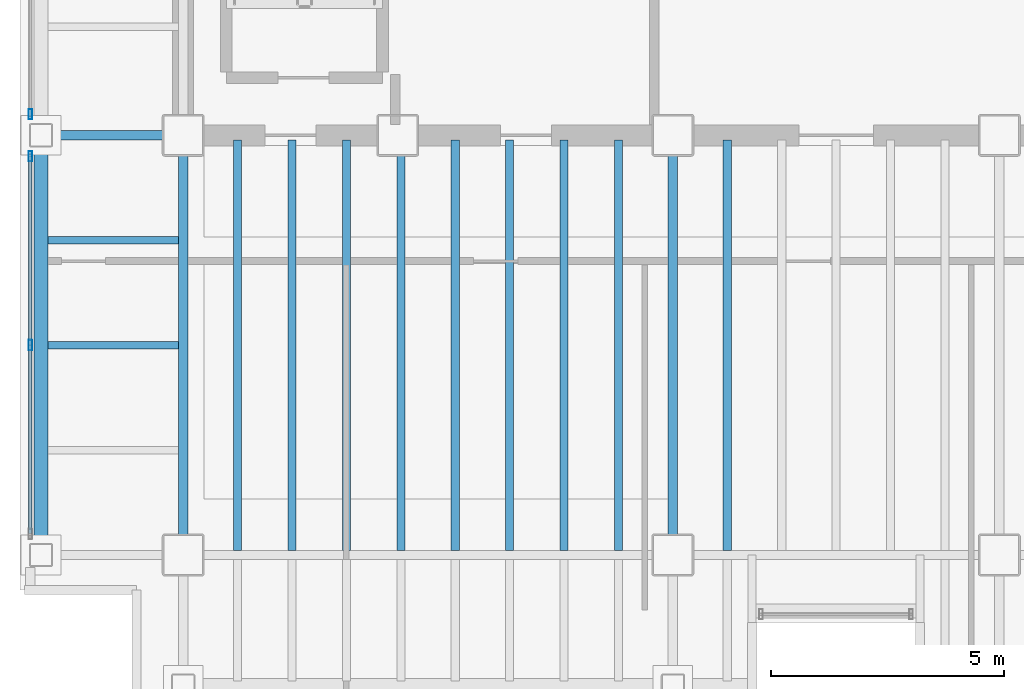
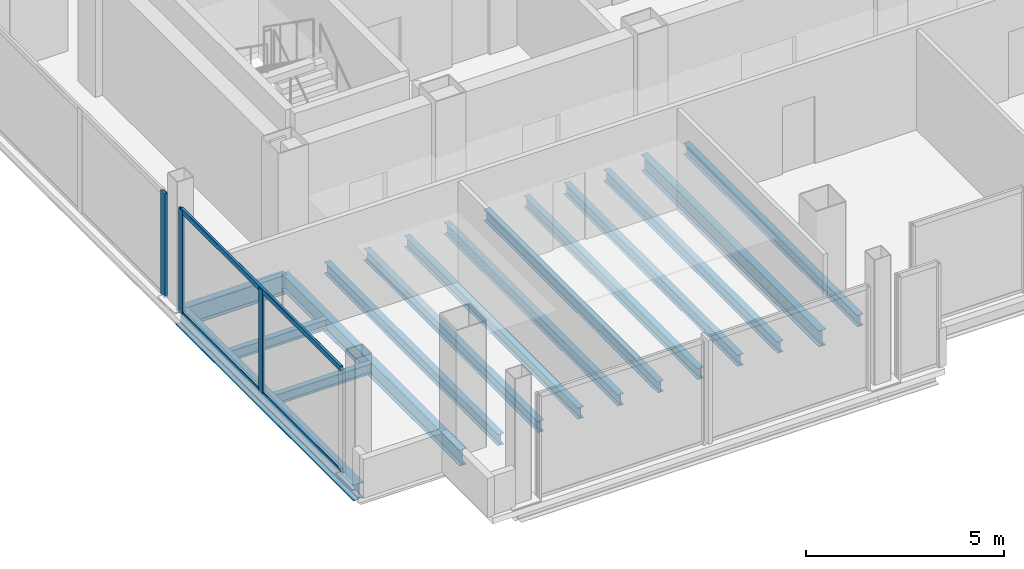
# One storey, part 3 of 16: 15 beams, 5 members, 2 elements without a shape of their own.
"""IFC4 building model written with IfcOpenShell, lengths in metres."""

from ifc_helpers import new_model, si_unit, direction, frame, origin, origin_2d, place, context, subcontext, project, spatial, hollow_rectangle, i_section, extrude, material, material_profile, profile_set, type_object, element, aggregate, save


model = new_model("IFC4")

# Units and contexts
model_context = context("Model", 3, precision=1e-05, world=origin(), true_north=direction((0.0, 1.0)))
body_context = subcontext(model_context, "Body", "Model", "MODEL_VIEW")
ifc_project = project(units=[si_unit("LENGTHUNIT", "METRE"), si_unit("AREAUNIT", "SQUARE_METRE"), si_unit("VOLUMEUNIT", "CUBIC_METRE"), si_unit("PLANEANGLEUNIT", "RADIAN"), si_unit("MASSUNIT", "GRAM", prefix="KILO")], contexts=[model_context])

# Site, building, storey
site_placement = place(None, origin())
site = spatial("IfcSite", under=ifc_project, at=site_placement, CompositionType="ELEMENT")
building_placement = place(site_placement, origin())
building = spatial("IfcBuilding", under=site, at=building_placement, Name="Noeulbin Bourse Tower", CompositionType="ELEMENT")
storey_placement = place(building_placement, frame((0.0, 0.0, 181.199951171875)))
storey = spatial("IfcBuildingStorey", under=building, at=storey_placement, Name="L45", CompositionType="ELEMENT", Elevation=181.199951171875)

# Beams
ifc_material_1 = material(Name="Steel S355", Category="steel")
ifc_material_profile_1 = material_profile(ifc_material_1, i_section(OverallWidth=0.199951171875, OverallDepth=0.5, WebThickness=0.010009765625, FlangeThickness=0.01611328125, FilletRadius=0.02001953125, at=origin_2d()), Name="H-500x200x10x16", Category="LoadBearing")
ifc_profile_set_1 = profile_set([ifc_material_profile_1], Name="Steel S355")
beam_type_1 = type_object("IfcBeamType", Name="BM-GRD-500", PredefinedType="USERDEFINED", material=ifc_profile_set_1)
for number, where, z_axis, x_axis, name in (
    (1, (13.5, 20.0, -0.429931640625), (0.0, 1.0, 0.0), (-1.0, 0.0, 0.0), "Tower Primary Girder NS L45-1.2"),
    (2, (24.0, 20.0, -0.429931640625), (0.0, 1.0, 0.0), (-1.0, 0.0, 0.0), "Tower Primary Girder NS L45-2.2"),
):
    element("IfcBeam", number, at=place(storey_placement, frame(where, z_axis=z_axis, x_axis=x_axis)), inside=storey, type_object=beam_type_1, Name=name, ObjectType="GIRDER", PredefinedType="USERDEFINED", context=body_context, shape_type="SweptSolid", body=[
        extrude(i_section(OverallWidth=0.199951171875, OverallDepth=0.5, WebThickness=0.010009765625, FlangeThickness=0.01611328125, FilletRadius=0.02001953125, at=origin_2d()), origin(), (0.0, 0.0, 1.0), 9.0),
    ])
ifc_material_profile_2 = material_profile(ifc_material_1, i_section(OverallWidth=0.199951171875, OverallDepth=0.60009765625, WebThickness=0.010986328125, FlangeThickness=0.01708984375, FilletRadius=0.02197265625, at=origin_2d()), Name="H-600x200x11x17", Category="LoadBearing")
ifc_profile_set_2 = profile_set([ifc_material_profile_2], Name="Steel S355")
beam_type_2 = type_object("IfcBeamType", Name="BM-GRD-600", PredefinedType="USERDEFINED", material=ifc_profile_set_2)
beam_1_placement = place(storey_placement, frame((10.449951171875, 29.0, -0.47998046875), z_axis=(1.0, 0.0, 0.0), x_axis=(0.0, 1.0, 0.0)))
element("IfcBeam", 3, at=beam_1_placement, inside=storey, type_object=beam_type_2, Name="Tower Primary Girder EW L45-2.1", ObjectType="GIRDER", PredefinedType="USERDEFINED", context=body_context, shape_type="SweptSolid", body=[
    extrude(i_section(OverallWidth=0.199951171875, OverallDepth=0.60009765625, WebThickness=0.010986328125, FlangeThickness=0.01708984375, FilletRadius=0.02197265625, at=origin_2d()), origin(), (0.0, 0.0, 1.0), 3.050048828125),
])
ifc_material_profile_3 = material_profile(ifc_material_1, i_section(OverallWidth=0.159912109375, OverallDepth=0.320068359375, WebThickness=0.006591796875, FlangeThickness=0.010009765625, FilletRadius=0.012939453125, at=origin_2d()), Name="H-320x160x6.5x10", Category="LoadBearing")
ifc_profile_set_3 = profile_set([ifc_material_profile_3], Name="Steel S355")
beam_type_3 = type_object("IfcBeamType", Name="BM-JST-320", PredefinedType="JOIST", material=ifc_profile_set_3)
for number, where, z_axis, x_axis, name in (
    (4, (10.60009765625, 24.5, -0.33984375), (1.0, 0.0, 0.0), (0.0, 1.0, 0.0), "Wing Composite Joist L45-W68"),
    (5, (10.60009765625, 26.75, -0.33984375), (1.0, 0.0, 0.0), (0.0, 1.0, 0.0), "Wing Composite Joist L45-W69"),
):
    element("IfcBeam", number, at=place(storey_placement, frame(where, z_axis=z_axis, x_axis=x_axis)), inside=storey, type_object=beam_type_3, Name=name, PredefinedType="JOIST", context=body_context, shape_type="SweptSolid", body=[
        extrude(i_section(OverallWidth=0.159912109375, OverallDepth=0.320068359375, WebThickness=0.006591796875, FlangeThickness=0.010009765625, FilletRadius=0.012939453125, at=origin_2d()), origin(), (0.0, 0.0, 1.0), 2.7998046875),
    ])
ifc_material_profile_4 = material_profile(ifc_material_1, i_section(OverallWidth=0.175048828125, OverallDepth=0.35009765625, WebThickness=0.007080078125, FlangeThickness=0.010986328125, FilletRadius=0.013916015625, at=origin_2d()), Name="H-350x175x7x11", Category="LoadBearing")
ifc_profile_set_4 = profile_set([ifc_material_profile_4], Name="Steel S355")
beam_type_4 = type_object("IfcBeamType", Name="BM-JST-350", PredefinedType="JOIST", material=ifc_profile_set_4)
for number, where, z_axis, x_axis, name in (
    (6, (14.666748046875, 20.10009765625, -0.35498046875), (0.0, 1.0, 0.0), (-1.0, 0.0, 0.0), "Tower Composite Joist L45-02"),
    (7, (15.833251953125, 20.10009765625, -0.35498046875), (0.0, 1.0, 0.0), (-1.0, 0.0, 0.0), "Tower Composite Joist L45-05"),
    (8, (17.0, 20.10009765625, -0.35498046875), (0.0, 1.0, 0.0), (-1.0, 0.0, 0.0), "Tower Composite Joist L45-08"),
    (9, (18.166748046875, 20.10009765625, -0.35498046875), (0.0, 1.0, 0.0), (-1.0, 0.0, 0.0), "Tower Composite Joist L45-11"),
    (10, (19.333251953125, 20.10009765625, -0.35498046875), (0.0, 1.0, 0.0), (-1.0, 0.0, 0.0), "Tower Composite Joist L45-14"),
    (11, (20.5, 20.10009765625, -0.35498046875), (0.0, 1.0, 0.0), (-1.0, 0.0, 0.0), "Tower Composite Joist L45-17"),
    (12, (21.666748046875, 20.10009765625, -0.35498046875), (0.0, 1.0, 0.0), (-1.0, 0.0, 0.0), "Tower Composite Joist L45-20"),
    (13, (22.833251953125, 20.10009765625, -0.35498046875), (0.0, 1.0, 0.0), (-1.0, 0.0, 0.0), "Tower Composite Joist L45-23"),
    (14, (25.166748046875, 20.10009765625, -0.35498046875), (0.0, 1.0, 0.0), (-1.0, 0.0, 0.0), "Tower Composite Joist L45-26"),
):
    element("IfcBeam", number, at=place(storey_placement, frame(where, z_axis=z_axis, x_axis=x_axis)), inside=storey, type_object=beam_type_4, Name=name, PredefinedType="JOIST", context=body_context, shape_type="SweptSolid", body=[
        extrude(i_section(OverallWidth=0.175048828125, OverallDepth=0.35009765625, WebThickness=0.007080078125, FlangeThickness=0.010986328125, FilletRadius=0.013916015625, at=origin_2d()), origin(), (0.0, 0.0, 1.0), 8.7998046875),
    ])
ifc_material_profile_5 = material_profile(ifc_material_1, i_section(OverallWidth=0.300048828125, OverallDepth=0.488037109375, WebThickness=0.010986328125, FlangeThickness=0.01806640625, FilletRadius=0.02197265625, at=origin_2d()), Name="H-488x300x11x18", Category="LoadBearing")
ifc_profile_set_5 = profile_set([ifc_material_profile_5], Name="Steel S355")
beam_type_5 = type_object("IfcBeamType", Name="BM-SPN-488", PredefinedType="SPANDREL", material=ifc_profile_set_5)
beam_2_placement = place(storey_placement, frame((10.449951171875, 20.0, -0.424072265625), z_axis=(0.0, 1.0, 0.0), x_axis=(-1.0, 0.0, 0.0)))
element("IfcBeam", 15, at=beam_2_placement, inside=storey, type_object=beam_type_5, Name="West Spandrel L45-1", PredefinedType="SPANDREL", context=body_context, shape_type="SweptSolid", body=[
    extrude(i_section(OverallWidth=0.300048828125, OverallDepth=0.488037109375, WebThickness=0.010986328125, FlangeThickness=0.01806640625, FilletRadius=0.02197265625, at=origin_2d()), origin(), (0.0, 0.0, 1.0), 9.0),
])

# Curtain wall, members
ifc_material_2 = material(Name="Dark Tinted Triple Glazing", Category="glass")
curtain_wall_type = type_object("IfcCurtainWallType", Name="CW-SYS-3", PredefinedType="NOTDEFINED", material=ifc_material_2)
curtain_wall_1_placement = place(storey_placement, origin())
curtain_wall_1 = element("IfcCurtainWall", 16, at=curtain_wall_1_placement, inside=storey, type_object=curtain_wall_type, Name="Unitised Curtain Wall CW-L45-W-S1", PredefinedType="NOTDEFINED")
ifc_material_3 = material(Name="Anodised Aluminium 6063-T6", Category="aluminium")
ifc_material_profile_6 = material_profile(ifc_material_3, hollow_rectangle(XDim=0.074951171875, YDim=0.219970703125, WallThickness=0.0048828125, InnerFilletRadius=0.00244140625, OuterFilletRadius=0.0048828125, at=origin_2d()), Name="ALU-MULL-75x220x5", Category="LoadBearing")
ifc_profile_set_6 = profile_set([ifc_material_profile_6], Name="Anodised Aluminium 6063-T6")
member_type_1 = type_object("IfcMemberType", Name="CW-SYS-3-MUL", PredefinedType="MULLION", material=ifc_profile_set_6)
member_1_placement = place(storey_placement, frame((10.219970703125, 24.5, -0.02001953125), z_axis=(0.0, 0.0, 1.0), x_axis=(1.0, 0.0, 0.0)))
member_1 = element("IfcMember", 17, at=member_1_placement, type_object=member_type_1, Name="Curtain Wall Mullion CW-L45-W-S1-M01", PredefinedType="MULLION", context=body_context, shape_type="SweptSolid", body=[
    extrude(hollow_rectangle(XDim=0.074951171875, YDim=0.219970703125, WallThickness=0.0048828125, InnerFilletRadius=0.00244140625, OuterFilletRadius=0.0048828125, at=origin_2d()), origin(), (0.0, 0.0, 1.0), 3.219970703125),
])
member_2_placement = place(storey_placement, frame((10.219970703125, 28.550048828125, -0.02001953125), z_axis=(0.0, 0.0, 1.0), x_axis=(1.0, 0.0, 0.0)))
member_2 = element("IfcMember", 18, at=member_2_placement, type_object=member_type_1, Name="Curtain Wall Mullion CW-L45-W-S1-M02", PredefinedType="MULLION", context=body_context, shape_type="SweptSolid", body=[
    extrude(hollow_rectangle(XDim=0.074951171875, YDim=0.219970703125, WallThickness=0.0048828125, InnerFilletRadius=0.00244140625, OuterFilletRadius=0.0048828125, at=origin_2d()), origin(), (0.0, 0.0, 1.0), 3.219970703125),
])

# Curtain wall, member
curtain_wall_2_placement = place(storey_placement, origin())
curtain_wall_2 = element("IfcCurtainWall", 19, at=curtain_wall_2_placement, inside=storey, type_object=curtain_wall_type, Name="Unitised Curtain Wall CW-L45-W-S2", PredefinedType="NOTDEFINED")
member_3_placement = place(storey_placement, frame((10.219970703125, 29.449951171875, -0.02001953125), z_axis=(0.0, 0.0, 1.0), x_axis=(1.0, 0.0, 0.0)))
member_3 = element("IfcMember", 20, at=member_3_placement, type_object=member_type_1, Name="Curtain Wall Mullion CW-L45-W-S2-M00", PredefinedType="MULLION", context=body_context, shape_type="SweptSolid", body=[
    extrude(hollow_rectangle(XDim=0.074951171875, YDim=0.219970703125, WallThickness=0.0048828125, InnerFilletRadius=0.00244140625, OuterFilletRadius=0.0048828125, at=origin_2d()), origin(), (0.0, 0.0, 1.0), 3.219970703125),
])
aggregate(curtain_wall_2, [member_3])

# Member
ifc_material_profile_7 = material_profile(ifc_material_3, hollow_rectangle(XDim=0.074951171875, YDim=0.159912109375, WallThickness=0.0048828125, InnerFilletRadius=0.00244140625, OuterFilletRadius=0.0048828125, at=origin_2d()), Name="ALU-TRAN-75x160x5", Category="LoadBearing")
ifc_profile_set_7 = profile_set([ifc_material_profile_7], Name="Anodised Aluminium 6063-T6")
member_type_2 = type_object("IfcMemberType", Name="CW-SYS-3-TRN", PredefinedType="USERDEFINED", material=ifc_profile_set_7)
member_4_placement = place(storey_placement, frame((10.219970703125, 20.4599609375, 0.010009765625), z_axis=(0.0, 1.0, 0.0), x_axis=(-1.0, 0.0, 0.0)))
member_4 = element("IfcMember", 21, at=member_4_placement, type_object=member_type_2, Name="Curtain Wall Transom CW-L45-W-S1-T00", ObjectType="TRANSOM", PredefinedType="USERDEFINED", context=body_context, shape_type="SweptSolid", body=[
    extrude(hollow_rectangle(XDim=0.074951171875, YDim=0.159912109375, WallThickness=0.0048828125, InnerFilletRadius=0.00244140625, OuterFilletRadius=0.0048828125, at=origin_2d()), origin(), (0.0, 0.0, 1.0), 8.080078125),
])

member_5_placement = place(storey_placement, frame((10.219970703125, 20.4599609375, 3.170166015625), z_axis=(0.0, 1.0, 0.0), x_axis=(-1.0, 0.0, 0.0)))
member_5 = element("IfcMember", 22, at=member_5_placement, type_object=member_type_2, Name="Curtain Wall Transom CW-L45-W-S1-T01", ObjectType="TRANSOM", PredefinedType="USERDEFINED", context=body_context, shape_type="SweptSolid", body=[
    extrude(hollow_rectangle(XDim=0.074951171875, YDim=0.159912109375, WallThickness=0.0048828125, InnerFilletRadius=0.00244140625, OuterFilletRadius=0.0048828125, at=origin_2d()), origin(), (0.0, 0.0, 1.0), 8.080078125),
])

aggregate(curtain_wall_1, [member_1, member_2, member_4, member_5])

save(model, "model.ifc")
